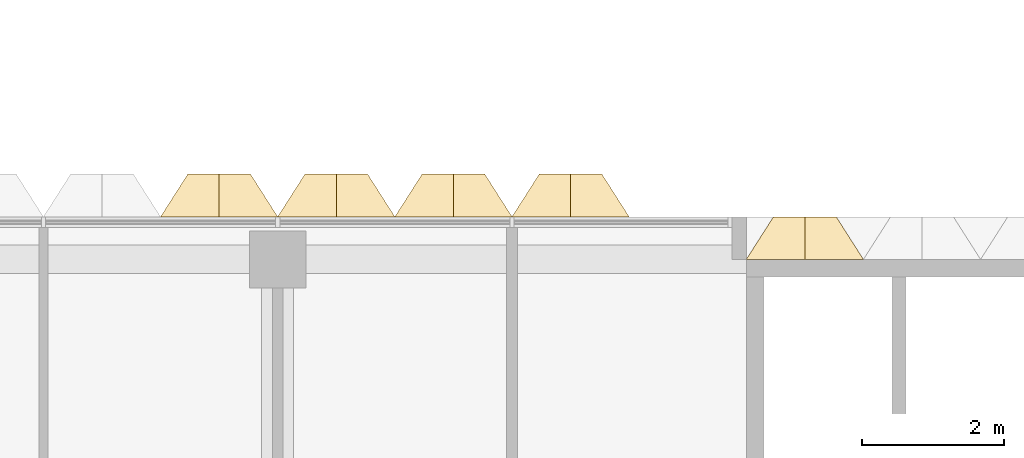
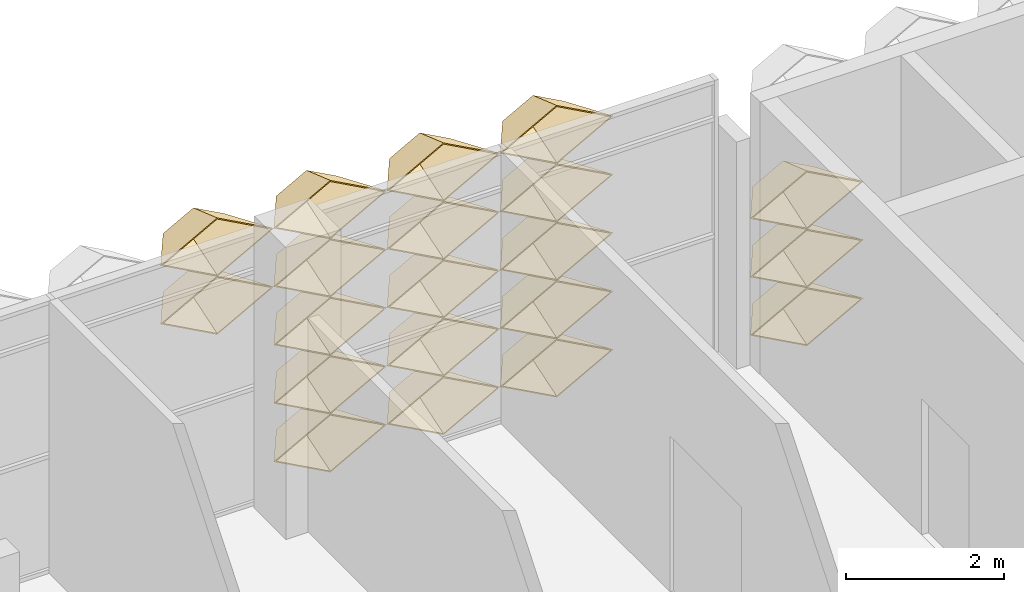
# One storey, part 56 of 61: 20 coverings.
"""IFC4 building model written with IfcOpenShell, lengths in metres."""

from ifc_helpers import new_model, entity, si_unit, direction, frame, origin, place, context, subcontext, project, spatial, material, layer, layer_set, type_object, element, save


model = new_model("IFC4")

# Units and contexts
model_context = context("Model", 3, precision=1e-05, world=origin(), true_north=direction((0.0, 1.0)))
body_context = subcontext(model_context, "Body", "Model", "MODEL_VIEW")
ifc_project = project(units=[si_unit("LENGTHUNIT", "METRE"), si_unit("AREAUNIT", "SQUARE_METRE"), si_unit("VOLUMEUNIT", "CUBIC_METRE"), si_unit("PLANEANGLEUNIT", "RADIAN"), si_unit("MASSUNIT", "GRAM", prefix="KILO")], contexts=[model_context])

# Site, building, storey
site_placement = place(None, origin())
site = spatial("IfcSite", under=ifc_project, at=site_placement, CompositionType="ELEMENT")
building_placement = place(site_placement, origin())
building = spatial("IfcBuilding", under=site, at=building_placement, Name="Lantern Court Research Institute", CompositionType="ELEMENT")
storey_placement = place(building_placement, frame((0.0, 0.0, 23.39990234375)))
storey = spatial("IfcBuildingStorey", under=building, at=storey_placement, Name="L05", CompositionType="ELEMENT", Elevation=23.39990234375)

# Coverings
ifc_material = material(Name="Anodised aluminium", Category="aluminium")
ifc_layer = layer(ifc_material, 0.01611328125)
ifc_layer_set = layer_set([ifc_layer], Name="Anodised aluminium")
covering_type = type_object("IfcCoveringType", Name="Fin cassette 1650 x 900 x 600 aluminium", PredefinedType="CLADDING", material=ifc_layer_set)
covering_1_placement = place(storey_placement, frame((73.425048828125, 23.10009765625, 0.4501953125), z_axis=(0.0, 1.0, 0.0), x_axis=(-1.0, 0.0, 0.0)))
cartesian_point_1 = entity("IfcCartesianPoint", [0.824951171875, 0.0])
cartesian_point_2 = entity("IfcCartesianPoint", [0.79150390625, 0.0])
cartesian_point_3 = entity("IfcCartesianPoint", [0.44189453125, 0.0])
cartesian_point_4 = entity("IfcCartesianPoint", [0.43359375, 0.0])
element("IfcCovering", 1, at=covering_1_placement, inside=storey, type_object=covering_type, Name="Fin cassette V5N-L05 1.45", PredefinedType="CLADDING", context=body_context, shape_type="SweptSolid", body=[
    entity("IfcExtrudedAreaSolidTapered", entity("IfcArbitraryProfileDefWithVoids", "AREA", None, entity("IfcPolyline", [cartesian_point_1, entity("IfcCartesianPoint", [0.0, 0.449951171875]), entity("IfcCartesianPoint", [-0.824951171875, 0.0]), entity("IfcCartesianPoint", [0.0, -0.449951171875]), cartesian_point_1]), [entity("IfcPolyline", [cartesian_point_2, entity("IfcCartesianPoint", [0.0, 0.431884765625]), entity("IfcCartesianPoint", [-0.79150390625, 0.0]), entity("IfcCartesianPoint", [0.0, -0.431884765625]), cartesian_point_2])]), entity("IfcAxis2Placement3D", entity("IfcCartesianPoint", [0.0, 0.0, 0.0])), entity("IfcDirection", [0.0, 0.0, 1.0]), 0.60009765625, entity("IfcArbitraryProfileDefWithVoids", "AREA", None, entity("IfcPolyline", [cartesian_point_3, entity("IfcCartesianPoint", [0.0, 0.240966796875]), entity("IfcCartesianPoint", [-0.44189453125, 0.0]), entity("IfcCartesianPoint", [0.0, -0.240966796875]), cartesian_point_3]), [entity("IfcPolyline", [cartesian_point_4, entity("IfcCartesianPoint", [0.0, 0.236572265625]), entity("IfcCartesianPoint", [-0.43359375, 0.0]), entity("IfcCartesianPoint", [0.0, -0.236572265625]), cartesian_point_4])])),
])
covering_2_placement = place(storey_placement, frame((73.425048828125, 23.10009765625, 1.35009765625), z_axis=(0.0, 1.0, 0.0), x_axis=(-1.0, 0.0, 0.0)))
cartesian_point_5 = entity("IfcCartesianPoint", [0.824951171875, 0.0])
cartesian_point_6 = entity("IfcCartesianPoint", [0.79150390625, 0.0])
cartesian_point_7 = entity("IfcCartesianPoint", [0.44189453125, 0.0])
cartesian_point_8 = entity("IfcCartesianPoint", [0.43359375, 0.0])
element("IfcCovering", 2, at=covering_2_placement, inside=storey, type_object=covering_type, Name="Fin cassette V5N-L05 2.45", PredefinedType="CLADDING", context=body_context, shape_type="SweptSolid", body=[
    entity("IfcExtrudedAreaSolidTapered", entity("IfcArbitraryProfileDefWithVoids", "AREA", None, entity("IfcPolyline", [cartesian_point_5, entity("IfcCartesianPoint", [0.0, 0.449951171875]), entity("IfcCartesianPoint", [-0.824951171875, 0.0]), entity("IfcCartesianPoint", [0.0, -0.449951171875]), cartesian_point_5]), [entity("IfcPolyline", [cartesian_point_6, entity("IfcCartesianPoint", [0.0, 0.431884765625]), entity("IfcCartesianPoint", [-0.79150390625, 0.0]), entity("IfcCartesianPoint", [0.0, -0.431884765625]), cartesian_point_6])]), entity("IfcAxis2Placement3D", entity("IfcCartesianPoint", [0.0, 0.0, 0.0])), entity("IfcDirection", [0.0, 0.0, 1.0]), 0.60009765625, entity("IfcArbitraryProfileDefWithVoids", "AREA", None, entity("IfcPolyline", [cartesian_point_7, entity("IfcCartesianPoint", [0.0, 0.240966796875]), entity("IfcCartesianPoint", [-0.44189453125, 0.0]), entity("IfcCartesianPoint", [0.0, -0.240966796875]), cartesian_point_7]), [entity("IfcPolyline", [cartesian_point_8, entity("IfcCartesianPoint", [0.0, 0.236572265625]), entity("IfcCartesianPoint", [-0.43359375, 0.0]), entity("IfcCartesianPoint", [0.0, -0.236572265625]), cartesian_point_8])])),
])
covering_3_placement = place(storey_placement, frame((73.425048828125, 23.10009765625, 2.25), z_axis=(0.0, 1.0, 0.0), x_axis=(-1.0, 0.0, 0.0)))
cartesian_point_9 = entity("IfcCartesianPoint", [0.824951171875, 0.0])
cartesian_point_10 = entity("IfcCartesianPoint", [0.79150390625, 0.0])
cartesian_point_11 = entity("IfcCartesianPoint", [0.44189453125, 0.0])
cartesian_point_12 = entity("IfcCartesianPoint", [0.43359375, 0.0])
element("IfcCovering", 3, at=covering_3_placement, inside=storey, type_object=covering_type, Name="Fin cassette V5N-L05 3.45", PredefinedType="CLADDING", context=body_context, shape_type="SweptSolid", body=[
    entity("IfcExtrudedAreaSolidTapered", entity("IfcArbitraryProfileDefWithVoids", "AREA", None, entity("IfcPolyline", [cartesian_point_9, entity("IfcCartesianPoint", [0.0, 0.449951171875]), entity("IfcCartesianPoint", [-0.824951171875, 0.0]), entity("IfcCartesianPoint", [0.0, -0.449951171875]), cartesian_point_9]), [entity("IfcPolyline", [cartesian_point_10, entity("IfcCartesianPoint", [0.0, 0.431884765625]), entity("IfcCartesianPoint", [-0.79150390625, 0.0]), entity("IfcCartesianPoint", [0.0, -0.431884765625]), cartesian_point_10])]), entity("IfcAxis2Placement3D", entity("IfcCartesianPoint", [0.0, 0.0, 0.0])), entity("IfcDirection", [0.0, 0.0, 1.0]), 0.60009765625, entity("IfcArbitraryProfileDefWithVoids", "AREA", None, entity("IfcPolyline", [cartesian_point_11, entity("IfcCartesianPoint", [0.0, 0.240966796875]), entity("IfcCartesianPoint", [-0.44189453125, 0.0]), entity("IfcCartesianPoint", [0.0, -0.240966796875]), cartesian_point_11]), [entity("IfcPolyline", [cartesian_point_12, entity("IfcCartesianPoint", [0.0, 0.236572265625]), entity("IfcCartesianPoint", [-0.43359375, 0.0]), entity("IfcCartesianPoint", [0.0, -0.236572265625]), cartesian_point_12])])),
])
covering_4_placement = place(storey_placement, frame((66.824951171875, 23.699951171875, 0.4501953125), z_axis=(0.0, 1.0, 0.0), x_axis=(-1.0, 0.0, 0.0)))
cartesian_point_13 = entity("IfcCartesianPoint", [0.824951171875, 0.0])
cartesian_point_14 = entity("IfcCartesianPoint", [0.79150390625, 0.0])
cartesian_point_15 = entity("IfcCartesianPoint", [0.44189453125, 0.0])
cartesian_point_16 = entity("IfcCartesianPoint", [0.43359375, 0.0])
element("IfcCovering", 4, at=covering_4_placement, inside=storey, type_object=covering_type, Name="Fin cassette V5N-L05 1.41", PredefinedType="CLADDING", context=body_context, shape_type="SweptSolid", body=[
    entity("IfcExtrudedAreaSolidTapered", entity("IfcArbitraryProfileDefWithVoids", "AREA", None, entity("IfcPolyline", [cartesian_point_13, entity("IfcCartesianPoint", [0.0, 0.449951171875]), entity("IfcCartesianPoint", [-0.824951171875, 0.0]), entity("IfcCartesianPoint", [0.0, -0.449951171875]), cartesian_point_13]), [entity("IfcPolyline", [cartesian_point_14, entity("IfcCartesianPoint", [0.0, 0.431884765625]), entity("IfcCartesianPoint", [-0.79150390625, 0.0]), entity("IfcCartesianPoint", [0.0, -0.431884765625]), cartesian_point_14])]), entity("IfcAxis2Placement3D", entity("IfcCartesianPoint", [0.0, 0.0, 0.0])), entity("IfcDirection", [0.0, 0.0, 1.0]), 0.60009765625, entity("IfcArbitraryProfileDefWithVoids", "AREA", None, entity("IfcPolyline", [cartesian_point_15, entity("IfcCartesianPoint", [0.0, 0.240966796875]), entity("IfcCartesianPoint", [-0.44189453125, 0.0]), entity("IfcCartesianPoint", [0.0, -0.240966796875]), cartesian_point_15]), [entity("IfcPolyline", [cartesian_point_16, entity("IfcCartesianPoint", [0.0, 0.236572265625]), entity("IfcCartesianPoint", [-0.43359375, 0.0]), entity("IfcCartesianPoint", [0.0, -0.236572265625]), cartesian_point_16])])),
])
covering_5_placement = place(storey_placement, frame((68.47509765625, 23.699951171875, 0.4501953125), z_axis=(0.0, 1.0, 0.0), x_axis=(-1.0, 0.0, 0.0)))
cartesian_point_17 = entity("IfcCartesianPoint", [0.824951171875, 0.0])
cartesian_point_18 = entity("IfcCartesianPoint", [0.79150390625, 0.0])
cartesian_point_19 = entity("IfcCartesianPoint", [0.44189453125, 0.0])
cartesian_point_20 = entity("IfcCartesianPoint", [0.43359375, 0.0])
element("IfcCovering", 5, at=covering_5_placement, inside=storey, type_object=covering_type, Name="Fin cassette V5N-L05 1.42", PredefinedType="CLADDING", context=body_context, shape_type="SweptSolid", body=[
    entity("IfcExtrudedAreaSolidTapered", entity("IfcArbitraryProfileDefWithVoids", "AREA", None, entity("IfcPolyline", [cartesian_point_17, entity("IfcCartesianPoint", [0.0, 0.449951171875]), entity("IfcCartesianPoint", [-0.824951171875, 0.0]), entity("IfcCartesianPoint", [0.0, -0.449951171875]), cartesian_point_17]), [entity("IfcPolyline", [cartesian_point_18, entity("IfcCartesianPoint", [0.0, 0.431884765625]), entity("IfcCartesianPoint", [-0.79150390625, 0.0]), entity("IfcCartesianPoint", [0.0, -0.431884765625]), cartesian_point_18])]), entity("IfcAxis2Placement3D", entity("IfcCartesianPoint", [0.0, 0.0, 0.0])), entity("IfcDirection", [0.0, 0.0, 1.0]), 0.60009765625, entity("IfcArbitraryProfileDefWithVoids", "AREA", None, entity("IfcPolyline", [cartesian_point_19, entity("IfcCartesianPoint", [0.0, 0.240966796875]), entity("IfcCartesianPoint", [-0.44189453125, 0.0]), entity("IfcCartesianPoint", [0.0, -0.240966796875]), cartesian_point_19]), [entity("IfcPolyline", [cartesian_point_20, entity("IfcCartesianPoint", [0.0, 0.236572265625]), entity("IfcCartesianPoint", [-0.43359375, 0.0]), entity("IfcCartesianPoint", [0.0, -0.236572265625]), cartesian_point_20])])),
])
covering_6_placement = place(storey_placement, frame((70.125, 23.699951171875, 0.4501953125), z_axis=(0.0, 1.0, 0.0), x_axis=(-1.0, 0.0, 0.0)))
cartesian_point_21 = entity("IfcCartesianPoint", [0.824951171875, 0.0])
cartesian_point_22 = entity("IfcCartesianPoint", [0.79150390625, 0.0])
cartesian_point_23 = entity("IfcCartesianPoint", [0.44189453125, 0.0])
cartesian_point_24 = entity("IfcCartesianPoint", [0.43359375, 0.0])
element("IfcCovering", 6, at=covering_6_placement, inside=storey, type_object=covering_type, Name="Fin cassette V5N-L05 1.43", PredefinedType="CLADDING", context=body_context, shape_type="SweptSolid", body=[
    entity("IfcExtrudedAreaSolidTapered", entity("IfcArbitraryProfileDefWithVoids", "AREA", None, entity("IfcPolyline", [cartesian_point_21, entity("IfcCartesianPoint", [0.0, 0.449951171875]), entity("IfcCartesianPoint", [-0.824951171875, 0.0]), entity("IfcCartesianPoint", [0.0, -0.449951171875]), cartesian_point_21]), [entity("IfcPolyline", [cartesian_point_22, entity("IfcCartesianPoint", [0.0, 0.431884765625]), entity("IfcCartesianPoint", [-0.79150390625, 0.0]), entity("IfcCartesianPoint", [0.0, -0.431884765625]), cartesian_point_22])]), entity("IfcAxis2Placement3D", entity("IfcCartesianPoint", [0.0, 0.0, 0.0])), entity("IfcDirection", [0.0, 0.0, 1.0]), 0.60009765625, entity("IfcArbitraryProfileDefWithVoids", "AREA", None, entity("IfcPolyline", [cartesian_point_23, entity("IfcCartesianPoint", [0.0, 0.240966796875]), entity("IfcCartesianPoint", [-0.44189453125, 0.0]), entity("IfcCartesianPoint", [0.0, -0.240966796875]), cartesian_point_23]), [entity("IfcPolyline", [cartesian_point_24, entity("IfcCartesianPoint", [0.0, 0.236572265625]), entity("IfcCartesianPoint", [-0.43359375, 0.0]), entity("IfcCartesianPoint", [0.0, -0.236572265625]), cartesian_point_24])])),
])
covering_7_placement = place(storey_placement, frame((66.824951171875, 23.699951171875, 1.35009765625), z_axis=(0.0, 1.0, 0.0), x_axis=(-1.0, 0.0, 0.0)))
cartesian_point_25 = entity("IfcCartesianPoint", [0.824951171875, 0.0])
cartesian_point_26 = entity("IfcCartesianPoint", [0.79150390625, 0.0])
cartesian_point_27 = entity("IfcCartesianPoint", [0.44189453125, 0.0])
cartesian_point_28 = entity("IfcCartesianPoint", [0.43359375, 0.0])
element("IfcCovering", 7, at=covering_7_placement, inside=storey, type_object=covering_type, Name="Fin cassette V5N-L05 2.41", PredefinedType="CLADDING", context=body_context, shape_type="SweptSolid", body=[
    entity("IfcExtrudedAreaSolidTapered", entity("IfcArbitraryProfileDefWithVoids", "AREA", None, entity("IfcPolyline", [cartesian_point_25, entity("IfcCartesianPoint", [0.0, 0.449951171875]), entity("IfcCartesianPoint", [-0.824951171875, 0.0]), entity("IfcCartesianPoint", [0.0, -0.449951171875]), cartesian_point_25]), [entity("IfcPolyline", [cartesian_point_26, entity("IfcCartesianPoint", [0.0, 0.431884765625]), entity("IfcCartesianPoint", [-0.79150390625, 0.0]), entity("IfcCartesianPoint", [0.0, -0.431884765625]), cartesian_point_26])]), entity("IfcAxis2Placement3D", entity("IfcCartesianPoint", [0.0, 0.0, 0.0])), entity("IfcDirection", [0.0, 0.0, 1.0]), 0.60009765625, entity("IfcArbitraryProfileDefWithVoids", "AREA", None, entity("IfcPolyline", [cartesian_point_27, entity("IfcCartesianPoint", [0.0, 0.240966796875]), entity("IfcCartesianPoint", [-0.44189453125, 0.0]), entity("IfcCartesianPoint", [0.0, -0.240966796875]), cartesian_point_27]), [entity("IfcPolyline", [cartesian_point_28, entity("IfcCartesianPoint", [0.0, 0.236572265625]), entity("IfcCartesianPoint", [-0.43359375, 0.0]), entity("IfcCartesianPoint", [0.0, -0.236572265625]), cartesian_point_28])])),
])
covering_8_placement = place(storey_placement, frame((68.47509765625, 23.699951171875, 1.35009765625), z_axis=(0.0, 1.0, 0.0), x_axis=(-1.0, 0.0, 0.0)))
cartesian_point_29 = entity("IfcCartesianPoint", [0.824951171875, 0.0])
cartesian_point_30 = entity("IfcCartesianPoint", [0.79150390625, 0.0])
cartesian_point_31 = entity("IfcCartesianPoint", [0.44189453125, 0.0])
cartesian_point_32 = entity("IfcCartesianPoint", [0.43359375, 0.0])
element("IfcCovering", 8, at=covering_8_placement, inside=storey, type_object=covering_type, Name="Fin cassette V5N-L05 2.42", PredefinedType="CLADDING", context=body_context, shape_type="SweptSolid", body=[
    entity("IfcExtrudedAreaSolidTapered", entity("IfcArbitraryProfileDefWithVoids", "AREA", None, entity("IfcPolyline", [cartesian_point_29, entity("IfcCartesianPoint", [0.0, 0.449951171875]), entity("IfcCartesianPoint", [-0.824951171875, 0.0]), entity("IfcCartesianPoint", [0.0, -0.449951171875]), cartesian_point_29]), [entity("IfcPolyline", [cartesian_point_30, entity("IfcCartesianPoint", [0.0, 0.431884765625]), entity("IfcCartesianPoint", [-0.79150390625, 0.0]), entity("IfcCartesianPoint", [0.0, -0.431884765625]), cartesian_point_30])]), entity("IfcAxis2Placement3D", entity("IfcCartesianPoint", [0.0, 0.0, 0.0])), entity("IfcDirection", [0.0, 0.0, 1.0]), 0.60009765625, entity("IfcArbitraryProfileDefWithVoids", "AREA", None, entity("IfcPolyline", [cartesian_point_31, entity("IfcCartesianPoint", [0.0, 0.240966796875]), entity("IfcCartesianPoint", [-0.44189453125, 0.0]), entity("IfcCartesianPoint", [0.0, -0.240966796875]), cartesian_point_31]), [entity("IfcPolyline", [cartesian_point_32, entity("IfcCartesianPoint", [0.0, 0.236572265625]), entity("IfcCartesianPoint", [-0.43359375, 0.0]), entity("IfcCartesianPoint", [0.0, -0.236572265625]), cartesian_point_32])])),
])
covering_9_placement = place(storey_placement, frame((70.125, 23.699951171875, 1.35009765625), z_axis=(0.0, 1.0, 0.0), x_axis=(-1.0, 0.0, 0.0)))
cartesian_point_33 = entity("IfcCartesianPoint", [0.824951171875, 0.0])
cartesian_point_34 = entity("IfcCartesianPoint", [0.79150390625, 0.0])
cartesian_point_35 = entity("IfcCartesianPoint", [0.44189453125, 0.0])
cartesian_point_36 = entity("IfcCartesianPoint", [0.43359375, 0.0])
element("IfcCovering", 9, at=covering_9_placement, inside=storey, type_object=covering_type, Name="Fin cassette V5N-L05 2.43", PredefinedType="CLADDING", context=body_context, shape_type="SweptSolid", body=[
    entity("IfcExtrudedAreaSolidTapered", entity("IfcArbitraryProfileDefWithVoids", "AREA", None, entity("IfcPolyline", [cartesian_point_33, entity("IfcCartesianPoint", [0.0, 0.449951171875]), entity("IfcCartesianPoint", [-0.824951171875, 0.0]), entity("IfcCartesianPoint", [0.0, -0.449951171875]), cartesian_point_33]), [entity("IfcPolyline", [cartesian_point_34, entity("IfcCartesianPoint", [0.0, 0.431884765625]), entity("IfcCartesianPoint", [-0.79150390625, 0.0]), entity("IfcCartesianPoint", [0.0, -0.431884765625]), cartesian_point_34])]), entity("IfcAxis2Placement3D", entity("IfcCartesianPoint", [0.0, 0.0, 0.0])), entity("IfcDirection", [0.0, 0.0, 1.0]), 0.60009765625, entity("IfcArbitraryProfileDefWithVoids", "AREA", None, entity("IfcPolyline", [cartesian_point_35, entity("IfcCartesianPoint", [0.0, 0.240966796875]), entity("IfcCartesianPoint", [-0.44189453125, 0.0]), entity("IfcCartesianPoint", [0.0, -0.240966796875]), cartesian_point_35]), [entity("IfcPolyline", [cartesian_point_36, entity("IfcCartesianPoint", [0.0, 0.236572265625]), entity("IfcCartesianPoint", [-0.43359375, 0.0]), entity("IfcCartesianPoint", [0.0, -0.236572265625]), cartesian_point_36])])),
])
covering_10_placement = place(storey_placement, frame((66.824951171875, 23.699951171875, 2.25), z_axis=(0.0, 1.0, 0.0), x_axis=(-1.0, 0.0, 0.0)))
cartesian_point_37 = entity("IfcCartesianPoint", [0.824951171875, 0.0])
cartesian_point_38 = entity("IfcCartesianPoint", [0.79150390625, 0.0])
cartesian_point_39 = entity("IfcCartesianPoint", [0.44189453125, 0.0])
cartesian_point_40 = entity("IfcCartesianPoint", [0.43359375, 0.0])
element("IfcCovering", 10, at=covering_10_placement, inside=storey, type_object=covering_type, Name="Fin cassette V5N-L05 3.41", PredefinedType="CLADDING", context=body_context, shape_type="SweptSolid", body=[
    entity("IfcExtrudedAreaSolidTapered", entity("IfcArbitraryProfileDefWithVoids", "AREA", None, entity("IfcPolyline", [cartesian_point_37, entity("IfcCartesianPoint", [0.0, 0.449951171875]), entity("IfcCartesianPoint", [-0.824951171875, 0.0]), entity("IfcCartesianPoint", [0.0, -0.449951171875]), cartesian_point_37]), [entity("IfcPolyline", [cartesian_point_38, entity("IfcCartesianPoint", [0.0, 0.431884765625]), entity("IfcCartesianPoint", [-0.79150390625, 0.0]), entity("IfcCartesianPoint", [0.0, -0.431884765625]), cartesian_point_38])]), entity("IfcAxis2Placement3D", entity("IfcCartesianPoint", [0.0, 0.0, 0.0])), entity("IfcDirection", [0.0, 0.0, 1.0]), 0.60009765625, entity("IfcArbitraryProfileDefWithVoids", "AREA", None, entity("IfcPolyline", [cartesian_point_39, entity("IfcCartesianPoint", [0.0, 0.240966796875]), entity("IfcCartesianPoint", [-0.44189453125, 0.0]), entity("IfcCartesianPoint", [0.0, -0.240966796875]), cartesian_point_39]), [entity("IfcPolyline", [cartesian_point_40, entity("IfcCartesianPoint", [0.0, 0.236572265625]), entity("IfcCartesianPoint", [-0.43359375, 0.0]), entity("IfcCartesianPoint", [0.0, -0.236572265625]), cartesian_point_40])])),
])
covering_11_placement = place(storey_placement, frame((68.47509765625, 23.699951171875, 2.25), z_axis=(0.0, 1.0, 0.0), x_axis=(-1.0, 0.0, 0.0)))
cartesian_point_41 = entity("IfcCartesianPoint", [0.824951171875, 0.0])
cartesian_point_42 = entity("IfcCartesianPoint", [0.79150390625, 0.0])
cartesian_point_43 = entity("IfcCartesianPoint", [0.44189453125, 0.0])
cartesian_point_44 = entity("IfcCartesianPoint", [0.43359375, 0.0])
element("IfcCovering", 11, at=covering_11_placement, inside=storey, type_object=covering_type, Name="Fin cassette V5N-L05 3.42", PredefinedType="CLADDING", context=body_context, shape_type="SweptSolid", body=[
    entity("IfcExtrudedAreaSolidTapered", entity("IfcArbitraryProfileDefWithVoids", "AREA", None, entity("IfcPolyline", [cartesian_point_41, entity("IfcCartesianPoint", [0.0, 0.449951171875]), entity("IfcCartesianPoint", [-0.824951171875, 0.0]), entity("IfcCartesianPoint", [0.0, -0.449951171875]), cartesian_point_41]), [entity("IfcPolyline", [cartesian_point_42, entity("IfcCartesianPoint", [0.0, 0.431884765625]), entity("IfcCartesianPoint", [-0.79150390625, 0.0]), entity("IfcCartesianPoint", [0.0, -0.431884765625]), cartesian_point_42])]), entity("IfcAxis2Placement3D", entity("IfcCartesianPoint", [0.0, 0.0, 0.0])), entity("IfcDirection", [0.0, 0.0, 1.0]), 0.60009765625, entity("IfcArbitraryProfileDefWithVoids", "AREA", None, entity("IfcPolyline", [cartesian_point_43, entity("IfcCartesianPoint", [0.0, 0.240966796875]), entity("IfcCartesianPoint", [-0.44189453125, 0.0]), entity("IfcCartesianPoint", [0.0, -0.240966796875]), cartesian_point_43]), [entity("IfcPolyline", [cartesian_point_44, entity("IfcCartesianPoint", [0.0, 0.236572265625]), entity("IfcCartesianPoint", [-0.43359375, 0.0]), entity("IfcCartesianPoint", [0.0, -0.236572265625]), cartesian_point_44])])),
])
covering_12_placement = place(storey_placement, frame((70.125, 23.699951171875, 2.25), z_axis=(0.0, 1.0, 0.0), x_axis=(-1.0, 0.0, 0.0)))
cartesian_point_45 = entity("IfcCartesianPoint", [0.824951171875, 0.0])
cartesian_point_46 = entity("IfcCartesianPoint", [0.79150390625, 0.0])
cartesian_point_47 = entity("IfcCartesianPoint", [0.44189453125, 0.0])
cartesian_point_48 = entity("IfcCartesianPoint", [0.43359375, 0.0])
element("IfcCovering", 12, at=covering_12_placement, inside=storey, type_object=covering_type, Name="Fin cassette V5N-L05 3.43", PredefinedType="CLADDING", context=body_context, shape_type="SweptSolid", body=[
    entity("IfcExtrudedAreaSolidTapered", entity("IfcArbitraryProfileDefWithVoids", "AREA", None, entity("IfcPolyline", [cartesian_point_45, entity("IfcCartesianPoint", [0.0, 0.449951171875]), entity("IfcCartesianPoint", [-0.824951171875, 0.0]), entity("IfcCartesianPoint", [0.0, -0.449951171875]), cartesian_point_45]), [entity("IfcPolyline", [cartesian_point_46, entity("IfcCartesianPoint", [0.0, 0.431884765625]), entity("IfcCartesianPoint", [-0.79150390625, 0.0]), entity("IfcCartesianPoint", [0.0, -0.431884765625]), cartesian_point_46])]), entity("IfcAxis2Placement3D", entity("IfcCartesianPoint", [0.0, 0.0, 0.0])), entity("IfcDirection", [0.0, 0.0, 1.0]), 0.60009765625, entity("IfcArbitraryProfileDefWithVoids", "AREA", None, entity("IfcPolyline", [cartesian_point_47, entity("IfcCartesianPoint", [0.0, 0.240966796875]), entity("IfcCartesianPoint", [-0.44189453125, 0.0]), entity("IfcCartesianPoint", [0.0, -0.240966796875]), cartesian_point_47]), [entity("IfcPolyline", [cartesian_point_48, entity("IfcCartesianPoint", [0.0, 0.236572265625]), entity("IfcCartesianPoint", [-0.43359375, 0.0]), entity("IfcCartesianPoint", [0.0, -0.236572265625]), cartesian_point_48])])),
])
covering_13_placement = place(storey_placement, frame((65.175048828125, 23.699951171875, 3.150146484375), z_axis=(0.0, 1.0, 0.0), x_axis=(-1.0, 0.0, 0.0)))
cartesian_point_49 = entity("IfcCartesianPoint", [0.824951171875, 0.0])
cartesian_point_50 = entity("IfcCartesianPoint", [0.79150390625, 0.0])
cartesian_point_51 = entity("IfcCartesianPoint", [0.44189453125, 0.0])
cartesian_point_52 = entity("IfcCartesianPoint", [0.43359375, 0.0])
element("IfcCovering", 13, at=covering_13_placement, inside=storey, type_object=covering_type, Name="Fin cassette V5N-L05 4.40", PredefinedType="CLADDING", context=body_context, shape_type="SweptSolid", body=[
    entity("IfcExtrudedAreaSolidTapered", entity("IfcArbitraryProfileDefWithVoids", "AREA", None, entity("IfcPolyline", [cartesian_point_49, entity("IfcCartesianPoint", [0.0, 0.449951171875]), entity("IfcCartesianPoint", [-0.824951171875, 0.0]), entity("IfcCartesianPoint", [0.0, -0.449951171875]), cartesian_point_49]), [entity("IfcPolyline", [cartesian_point_50, entity("IfcCartesianPoint", [0.0, 0.431884765625]), entity("IfcCartesianPoint", [-0.79150390625, 0.0]), entity("IfcCartesianPoint", [0.0, -0.431884765625]), cartesian_point_50])]), entity("IfcAxis2Placement3D", entity("IfcCartesianPoint", [0.0, 0.0, 0.0])), entity("IfcDirection", [0.0, 0.0, 1.0]), 0.60009765625, entity("IfcArbitraryProfileDefWithVoids", "AREA", None, entity("IfcPolyline", [cartesian_point_51, entity("IfcCartesianPoint", [0.0, 0.240966796875]), entity("IfcCartesianPoint", [-0.44189453125, 0.0]), entity("IfcCartesianPoint", [0.0, -0.240966796875]), cartesian_point_51]), [entity("IfcPolyline", [cartesian_point_52, entity("IfcCartesianPoint", [0.0, 0.236572265625]), entity("IfcCartesianPoint", [-0.43359375, 0.0]), entity("IfcCartesianPoint", [0.0, -0.236572265625]), cartesian_point_52])])),
])
covering_14_placement = place(storey_placement, frame((66.824951171875, 23.699951171875, 3.150146484375), z_axis=(0.0, 1.0, 0.0), x_axis=(-1.0, 0.0, 0.0)))
cartesian_point_53 = entity("IfcCartesianPoint", [0.824951171875, 0.0])
cartesian_point_54 = entity("IfcCartesianPoint", [0.79150390625, 0.0])
cartesian_point_55 = entity("IfcCartesianPoint", [0.44189453125, 0.0])
cartesian_point_56 = entity("IfcCartesianPoint", [0.43359375, 0.0])
element("IfcCovering", 14, at=covering_14_placement, inside=storey, type_object=covering_type, Name="Fin cassette V5N-L05 4.41", PredefinedType="CLADDING", context=body_context, shape_type="SweptSolid", body=[
    entity("IfcExtrudedAreaSolidTapered", entity("IfcArbitraryProfileDefWithVoids", "AREA", None, entity("IfcPolyline", [cartesian_point_53, entity("IfcCartesianPoint", [0.0, 0.449951171875]), entity("IfcCartesianPoint", [-0.824951171875, 0.0]), entity("IfcCartesianPoint", [0.0, -0.449951171875]), cartesian_point_53]), [entity("IfcPolyline", [cartesian_point_54, entity("IfcCartesianPoint", [0.0, 0.431884765625]), entity("IfcCartesianPoint", [-0.79150390625, 0.0]), entity("IfcCartesianPoint", [0.0, -0.431884765625]), cartesian_point_54])]), entity("IfcAxis2Placement3D", entity("IfcCartesianPoint", [0.0, 0.0, 0.0])), entity("IfcDirection", [0.0, 0.0, 1.0]), 0.60009765625, entity("IfcArbitraryProfileDefWithVoids", "AREA", None, entity("IfcPolyline", [cartesian_point_55, entity("IfcCartesianPoint", [0.0, 0.240966796875]), entity("IfcCartesianPoint", [-0.44189453125, 0.0]), entity("IfcCartesianPoint", [0.0, -0.240966796875]), cartesian_point_55]), [entity("IfcPolyline", [cartesian_point_56, entity("IfcCartesianPoint", [0.0, 0.236572265625]), entity("IfcCartesianPoint", [-0.43359375, 0.0]), entity("IfcCartesianPoint", [0.0, -0.236572265625]), cartesian_point_56])])),
])
covering_15_placement = place(storey_placement, frame((68.47509765625, 23.699951171875, 3.150146484375), z_axis=(0.0, 1.0, 0.0), x_axis=(-1.0, 0.0, 0.0)))
cartesian_point_57 = entity("IfcCartesianPoint", [0.824951171875, 0.0])
cartesian_point_58 = entity("IfcCartesianPoint", [0.79150390625, 0.0])
cartesian_point_59 = entity("IfcCartesianPoint", [0.44189453125, 0.0])
cartesian_point_60 = entity("IfcCartesianPoint", [0.43359375, 0.0])
element("IfcCovering", 15, at=covering_15_placement, inside=storey, type_object=covering_type, Name="Fin cassette V5N-L05 4.42", PredefinedType="CLADDING", context=body_context, shape_type="SweptSolid", body=[
    entity("IfcExtrudedAreaSolidTapered", entity("IfcArbitraryProfileDefWithVoids", "AREA", None, entity("IfcPolyline", [cartesian_point_57, entity("IfcCartesianPoint", [0.0, 0.449951171875]), entity("IfcCartesianPoint", [-0.824951171875, 0.0]), entity("IfcCartesianPoint", [0.0, -0.449951171875]), cartesian_point_57]), [entity("IfcPolyline", [cartesian_point_58, entity("IfcCartesianPoint", [0.0, 0.431884765625]), entity("IfcCartesianPoint", [-0.79150390625, 0.0]), entity("IfcCartesianPoint", [0.0, -0.431884765625]), cartesian_point_58])]), entity("IfcAxis2Placement3D", entity("IfcCartesianPoint", [0.0, 0.0, 0.0])), entity("IfcDirection", [0.0, 0.0, 1.0]), 0.60009765625, entity("IfcArbitraryProfileDefWithVoids", "AREA", None, entity("IfcPolyline", [cartesian_point_59, entity("IfcCartesianPoint", [0.0, 0.240966796875]), entity("IfcCartesianPoint", [-0.44189453125, 0.0]), entity("IfcCartesianPoint", [0.0, -0.240966796875]), cartesian_point_59]), [entity("IfcPolyline", [cartesian_point_60, entity("IfcCartesianPoint", [0.0, 0.236572265625]), entity("IfcCartesianPoint", [-0.43359375, 0.0]), entity("IfcCartesianPoint", [0.0, -0.236572265625]), cartesian_point_60])])),
])
covering_16_placement = place(storey_placement, frame((70.125, 23.699951171875, 3.150146484375), z_axis=(0.0, 1.0, 0.0), x_axis=(-1.0, 0.0, 0.0)))
cartesian_point_61 = entity("IfcCartesianPoint", [0.824951171875, 0.0])
cartesian_point_62 = entity("IfcCartesianPoint", [0.79150390625, 0.0])
cartesian_point_63 = entity("IfcCartesianPoint", [0.44189453125, 0.0])
cartesian_point_64 = entity("IfcCartesianPoint", [0.43359375, 0.0])
element("IfcCovering", 16, at=covering_16_placement, inside=storey, type_object=covering_type, Name="Fin cassette V5N-L05 4.43", PredefinedType="CLADDING", context=body_context, shape_type="SweptSolid", body=[
    entity("IfcExtrudedAreaSolidTapered", entity("IfcArbitraryProfileDefWithVoids", "AREA", None, entity("IfcPolyline", [cartesian_point_61, entity("IfcCartesianPoint", [0.0, 0.449951171875]), entity("IfcCartesianPoint", [-0.824951171875, 0.0]), entity("IfcCartesianPoint", [0.0, -0.449951171875]), cartesian_point_61]), [entity("IfcPolyline", [cartesian_point_62, entity("IfcCartesianPoint", [0.0, 0.431884765625]), entity("IfcCartesianPoint", [-0.79150390625, 0.0]), entity("IfcCartesianPoint", [0.0, -0.431884765625]), cartesian_point_62])]), entity("IfcAxis2Placement3D", entity("IfcCartesianPoint", [0.0, 0.0, 0.0])), entity("IfcDirection", [0.0, 0.0, 1.0]), 0.60009765625, entity("IfcArbitraryProfileDefWithVoids", "AREA", None, entity("IfcPolyline", [cartesian_point_63, entity("IfcCartesianPoint", [0.0, 0.240966796875]), entity("IfcCartesianPoint", [-0.44189453125, 0.0]), entity("IfcCartesianPoint", [0.0, -0.240966796875]), cartesian_point_63]), [entity("IfcPolyline", [cartesian_point_64, entity("IfcCartesianPoint", [0.0, 0.236572265625]), entity("IfcCartesianPoint", [-0.43359375, 0.0]), entity("IfcCartesianPoint", [0.0, -0.236572265625]), cartesian_point_64])])),
])
covering_17_placement = place(storey_placement, frame((65.175048828125, 23.699951171875, 4.050048828125), z_axis=(0.0, 1.0, 0.0), x_axis=(-1.0, 0.0, 0.0)))
cartesian_point_65 = entity("IfcCartesianPoint", [0.824951171875, 0.0])
cartesian_point_66 = entity("IfcCartesianPoint", [0.79150390625, 0.0])
cartesian_point_67 = entity("IfcCartesianPoint", [0.44189453125, 0.0])
cartesian_point_68 = entity("IfcCartesianPoint", [0.43359375, 0.0])
element("IfcCovering", 17, at=covering_17_placement, inside=storey, type_object=covering_type, Name="Fin cassette V5N-L05 5.40", PredefinedType="CLADDING", context=body_context, shape_type="SweptSolid", body=[
    entity("IfcExtrudedAreaSolidTapered", entity("IfcArbitraryProfileDefWithVoids", "AREA", None, entity("IfcPolyline", [cartesian_point_65, entity("IfcCartesianPoint", [0.0, 0.449951171875]), entity("IfcCartesianPoint", [-0.824951171875, 0.0]), entity("IfcCartesianPoint", [0.0, -0.449951171875]), cartesian_point_65]), [entity("IfcPolyline", [cartesian_point_66, entity("IfcCartesianPoint", [0.0, 0.431884765625]), entity("IfcCartesianPoint", [-0.79150390625, 0.0]), entity("IfcCartesianPoint", [0.0, -0.431884765625]), cartesian_point_66])]), entity("IfcAxis2Placement3D", entity("IfcCartesianPoint", [0.0, 0.0, 0.0])), entity("IfcDirection", [0.0, 0.0, 1.0]), 0.60009765625, entity("IfcArbitraryProfileDefWithVoids", "AREA", None, entity("IfcPolyline", [cartesian_point_67, entity("IfcCartesianPoint", [0.0, 0.240966796875]), entity("IfcCartesianPoint", [-0.44189453125, 0.0]), entity("IfcCartesianPoint", [0.0, -0.240966796875]), cartesian_point_67]), [entity("IfcPolyline", [cartesian_point_68, entity("IfcCartesianPoint", [0.0, 0.236572265625]), entity("IfcCartesianPoint", [-0.43359375, 0.0]), entity("IfcCartesianPoint", [0.0, -0.236572265625]), cartesian_point_68])])),
])
covering_18_placement = place(storey_placement, frame((66.824951171875, 23.699951171875, 4.050048828125), z_axis=(0.0, 1.0, 0.0), x_axis=(-1.0, 0.0, 0.0)))
cartesian_point_69 = entity("IfcCartesianPoint", [0.824951171875, 0.0])
cartesian_point_70 = entity("IfcCartesianPoint", [0.79150390625, 0.0])
cartesian_point_71 = entity("IfcCartesianPoint", [0.44189453125, 0.0])
cartesian_point_72 = entity("IfcCartesianPoint", [0.43359375, 0.0])
element("IfcCovering", 18, at=covering_18_placement, inside=storey, type_object=covering_type, Name="Fin cassette V5N-L05 5.41", PredefinedType="CLADDING", context=body_context, shape_type="SweptSolid", body=[
    entity("IfcExtrudedAreaSolidTapered", entity("IfcArbitraryProfileDefWithVoids", "AREA", None, entity("IfcPolyline", [cartesian_point_69, entity("IfcCartesianPoint", [0.0, 0.449951171875]), entity("IfcCartesianPoint", [-0.824951171875, 0.0]), entity("IfcCartesianPoint", [0.0, -0.449951171875]), cartesian_point_69]), [entity("IfcPolyline", [cartesian_point_70, entity("IfcCartesianPoint", [0.0, 0.431884765625]), entity("IfcCartesianPoint", [-0.79150390625, 0.0]), entity("IfcCartesianPoint", [0.0, -0.431884765625]), cartesian_point_70])]), entity("IfcAxis2Placement3D", entity("IfcCartesianPoint", [0.0, 0.0, 0.0])), entity("IfcDirection", [0.0, 0.0, 1.0]), 0.60009765625, entity("IfcArbitraryProfileDefWithVoids", "AREA", None, entity("IfcPolyline", [cartesian_point_71, entity("IfcCartesianPoint", [0.0, 0.240966796875]), entity("IfcCartesianPoint", [-0.44189453125, 0.0]), entity("IfcCartesianPoint", [0.0, -0.240966796875]), cartesian_point_71]), [entity("IfcPolyline", [cartesian_point_72, entity("IfcCartesianPoint", [0.0, 0.236572265625]), entity("IfcCartesianPoint", [-0.43359375, 0.0]), entity("IfcCartesianPoint", [0.0, -0.236572265625]), cartesian_point_72])])),
])
covering_19_placement = place(storey_placement, frame((68.47509765625, 23.699951171875, 4.050048828125), z_axis=(0.0, 1.0, 0.0), x_axis=(-1.0, 0.0, 0.0)))
cartesian_point_73 = entity("IfcCartesianPoint", [0.824951171875, 0.0])
cartesian_point_74 = entity("IfcCartesianPoint", [0.79150390625, 0.0])
cartesian_point_75 = entity("IfcCartesianPoint", [0.44189453125, 0.0])
cartesian_point_76 = entity("IfcCartesianPoint", [0.43359375, 0.0])
element("IfcCovering", 19, at=covering_19_placement, inside=storey, type_object=covering_type, Name="Fin cassette V5N-L05 5.42", PredefinedType="CLADDING", context=body_context, shape_type="SweptSolid", body=[
    entity("IfcExtrudedAreaSolidTapered", entity("IfcArbitraryProfileDefWithVoids", "AREA", None, entity("IfcPolyline", [cartesian_point_73, entity("IfcCartesianPoint", [0.0, 0.449951171875]), entity("IfcCartesianPoint", [-0.824951171875, 0.0]), entity("IfcCartesianPoint", [0.0, -0.449951171875]), cartesian_point_73]), [entity("IfcPolyline", [cartesian_point_74, entity("IfcCartesianPoint", [0.0, 0.431884765625]), entity("IfcCartesianPoint", [-0.79150390625, 0.0]), entity("IfcCartesianPoint", [0.0, -0.431884765625]), cartesian_point_74])]), entity("IfcAxis2Placement3D", entity("IfcCartesianPoint", [0.0, 0.0, 0.0])), entity("IfcDirection", [0.0, 0.0, 1.0]), 0.60009765625, entity("IfcArbitraryProfileDefWithVoids", "AREA", None, entity("IfcPolyline", [cartesian_point_75, entity("IfcCartesianPoint", [0.0, 0.240966796875]), entity("IfcCartesianPoint", [-0.44189453125, 0.0]), entity("IfcCartesianPoint", [0.0, -0.240966796875]), cartesian_point_75]), [entity("IfcPolyline", [cartesian_point_76, entity("IfcCartesianPoint", [0.0, 0.236572265625]), entity("IfcCartesianPoint", [-0.43359375, 0.0]), entity("IfcCartesianPoint", [0.0, -0.236572265625]), cartesian_point_76])])),
])
covering_20_placement = place(storey_placement, frame((70.125, 23.699951171875, 4.050048828125), z_axis=(0.0, 1.0, 0.0), x_axis=(-1.0, 0.0, 0.0)))
cartesian_point_77 = entity("IfcCartesianPoint", [0.824951171875, 0.0])
cartesian_point_78 = entity("IfcCartesianPoint", [0.79150390625, 0.0])
cartesian_point_79 = entity("IfcCartesianPoint", [0.44189453125, 0.0])
cartesian_point_80 = entity("IfcCartesianPoint", [0.43359375, 0.0])
element("IfcCovering", 20, at=covering_20_placement, inside=storey, type_object=covering_type, Name="Fin cassette V5N-L05 5.43", PredefinedType="CLADDING", context=body_context, shape_type="SweptSolid", body=[
    entity("IfcExtrudedAreaSolidTapered", entity("IfcArbitraryProfileDefWithVoids", "AREA", None, entity("IfcPolyline", [cartesian_point_77, entity("IfcCartesianPoint", [0.0, 0.449951171875]), entity("IfcCartesianPoint", [-0.824951171875, 0.0]), entity("IfcCartesianPoint", [0.0, -0.449951171875]), cartesian_point_77]), [entity("IfcPolyline", [cartesian_point_78, entity("IfcCartesianPoint", [0.0, 0.431884765625]), entity("IfcCartesianPoint", [-0.79150390625, 0.0]), entity("IfcCartesianPoint", [0.0, -0.431884765625]), cartesian_point_78])]), entity("IfcAxis2Placement3D", entity("IfcCartesianPoint", [0.0, 0.0, 0.0])), entity("IfcDirection", [0.0, 0.0, 1.0]), 0.60009765625, entity("IfcArbitraryProfileDefWithVoids", "AREA", None, entity("IfcPolyline", [cartesian_point_79, entity("IfcCartesianPoint", [0.0, 0.240966796875]), entity("IfcCartesianPoint", [-0.44189453125, 0.0]), entity("IfcCartesianPoint", [0.0, -0.240966796875]), cartesian_point_79]), [entity("IfcPolyline", [cartesian_point_80, entity("IfcCartesianPoint", [0.0, 0.236572265625]), entity("IfcCartesianPoint", [-0.43359375, 0.0]), entity("IfcCartesianPoint", [0.0, -0.236572265625]), cartesian_point_80])])),
])

save(model, "model.ifc")
